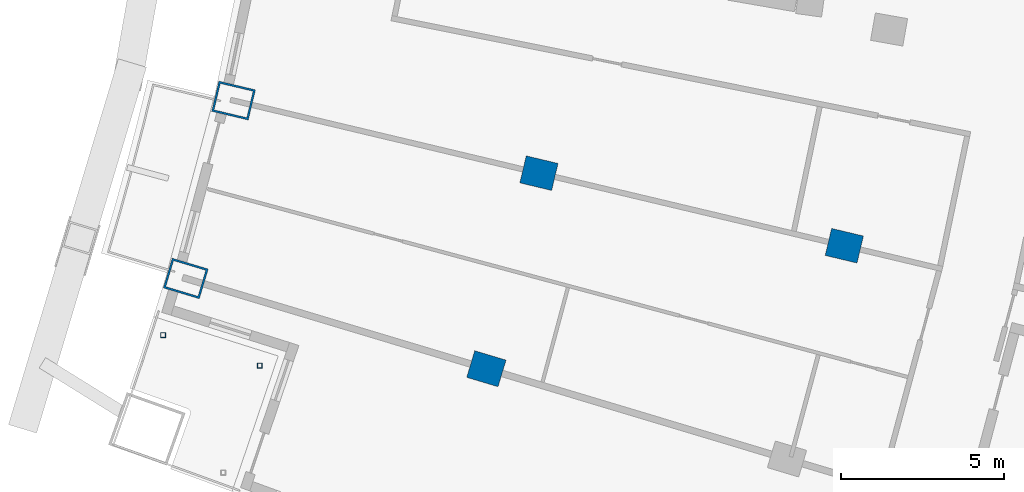
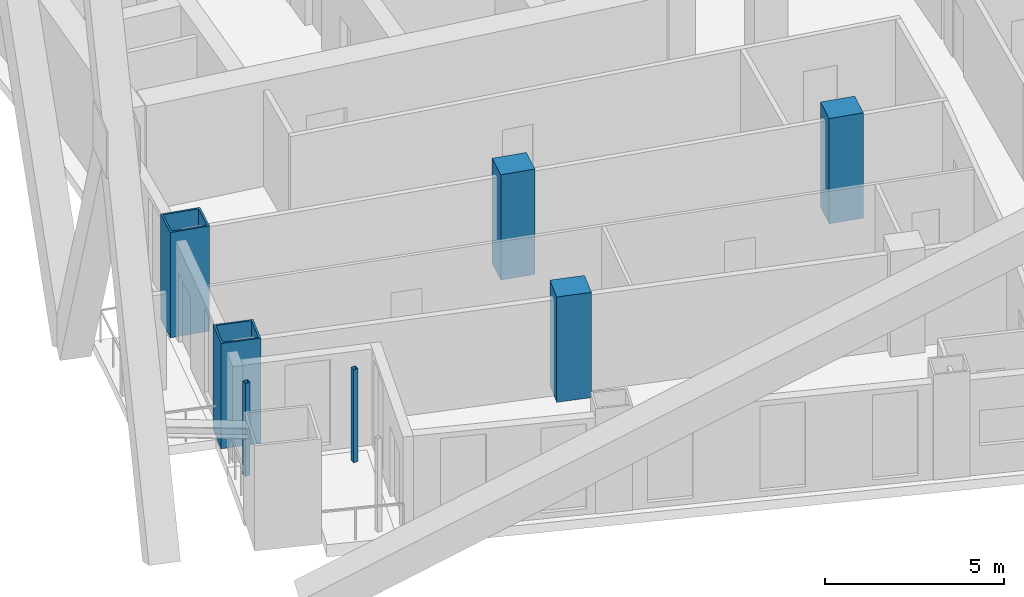
# One storey, part 3 of 26: 7 columns.
"""IFC4 building model written with IfcOpenShell, lengths in metres."""

import ifcopenshell
import ifcopenshell.guid

model = None  # the IFC model being written
_history = None  # IfcOwnerHistory: only IFC2X3 demands one
_inside = {}  # id of a spatial element -> (the spatial element, [elements in it])
_under = {}  # id of a project, library or spatial element -> (it, [spatial elements below it])
_declared = {}  # id of a project -> (the project, [libraries it declares])
_typed = {}  # id of a type object -> (the type object, [elements of that type])
_made_of = {}  # id of a material, layer set ... -> (it, [elements and type objects made of it])


def new_model(schema):
    """Start an empty IFC model of exactly this schema.

    Asked for "IFC4X3", IfcOpenShell would pick the latest addendum, in which some entities
    have other attributes; the version numbers below select the first issue.
    IFC2X3 requires an IfcOwnerHistory on every rooted entity: one is made here for all.
    """
    global model, _history
    if schema == "IFC4X3":
        model = ifcopenshell.file(schema_version=(4, 3, 0, 0))
    else:
        model = ifcopenshell.file(schema=schema)
    _inside.clear()
    _under.clear()
    _declared.clear()
    _typed.clear()
    _made_of.clear()
    _history = None
    if model.schema == "IFC2X3":
        org = make("IfcOrganization", Name="unknown")
        user = make(
            "IfcPersonAndOrganization",
            ThePerson=make("IfcPerson", FamilyName="unknown"),
            TheOrganization=org,
        )
        app = make(
            "IfcApplication",
            ApplicationDeveloper=org,
            Version="unknown",
            ApplicationFullName="unknown",
            ApplicationIdentifier="unknown",
        )
        _history = make(
            "IfcOwnerHistory",
            OwningUser=user,
            OwningApplication=app,
            ChangeAction="ADDED",
            CreationDate=0,
        )
    return model


def make(cls, **values):
    """One entity of the class cls with the attributes given. An attribute that is None is left unset."""
    return model.create_entity(
        cls, **{name: value for name, value in values.items() if value is not None}
    )


def rooted(cls, **values):
    """An entity with a GlobalId (a new one), such as an element, a storey or a relation."""
    return make(cls, GlobalId=ifcopenshell.guid.new(), OwnerHistory=_history, **values)


def si_unit(unit_type, name, prefix=None):
    """IfcSIUnit, for example si_unit("LENGTHUNIT", "METRE", prefix="MILLI")."""
    return make("IfcSIUnit", UnitType=unit_type, Prefix=prefix, Name=name)


def assignment(units):
    """IfcUnitAssignment: the units of a project."""
    return None if units is None else make("IfcUnitAssignment", Units=units)


def point(xyz):
    """IfcCartesianPoint."""
    return None if xyz is None else make("IfcCartesianPoint", Coordinates=xyz)


def direction(xyz):
    """IfcDirection."""
    return None if xyz is None else make("IfcDirection", DirectionRatios=xyz)


def frame(location, z_axis=None, x_axis=None):
    """IfcAxis2Placement3D, a coordinate frame: its origin and axes. An axis left out is left unset."""
    return make(
        "IfcAxis2Placement3D",
        Location=point(location),
        Axis=direction(z_axis),
        RefDirection=direction(x_axis),
    )


def frame_2d(location, x_axis=None):
    """IfcAxis2Placement2D, a coordinate frame in the plane: its origin and x axis."""
    return make(
        "IfcAxis2Placement2D", Location=point(location), RefDirection=direction(x_axis)
    )


def origin():
    """The frame at (0, 0, 0) with its axes left unset."""
    return frame((0.0, 0.0, 0.0))


def origin_2d():
    """The frame at (0, 0) in the plane with its x axis left unset."""
    return frame_2d((0.0, 0.0))


def place(relative_to, where):
    """IfcLocalPlacement: puts the frame where relative to a parent placement (None: the world)."""
    return make(
        "IfcLocalPlacement", PlacementRelTo=relative_to, RelativePlacement=where
    )


def context(
    kind, dimensions, precision=None, world=None, true_north=None, identifier=None
):
    """IfcGeometricRepresentationContext, for example the 3D "Model" context."""
    return make(
        "IfcGeometricRepresentationContext",
        ContextIdentifier=identifier,
        ContextType=kind,
        CoordinateSpaceDimension=dimensions,
        Precision=precision,
        WorldCoordinateSystem=world,
        TrueNorth=true_north,
    )


def subcontext(parent, identifier, kind, view, scale=None):
    """IfcGeometricRepresentationSubContext, for example "Body" below "Model"."""
    return make(
        "IfcGeometricRepresentationSubContext",
        ContextIdentifier=identifier,
        ContextType=kind,
        ParentContext=parent,
        TargetScale=scale,
        TargetView=view,
    )


def project(units=None, contexts=None):
    """IfcProject with its units and contexts."""
    return rooted(
        "IfcProject",
        Name="project",
        RepresentationContexts=contexts,
        UnitsInContext=assignment(units),
    )


def spatial(cls, under=None, at=None, **own):
    """A site, building, storey or space (cls), placed at a placement, below another one or the project."""
    s = rooted(cls, ObjectPlacement=at, **own)
    if under is not None:
        _under.setdefault(under.id(), (under, []))[1].append(s)
    return s


def profile(cls, at=None, kind="AREA", **sizes):
    """A parametric profile (cls). Its sizes go by their IFC names, for example OverallWidth=200.0."""
    return make(cls, ProfileType=kind, Position=at, **sizes)


def rectangle(**sizes):
    """IfcRectangleProfileDef."""
    return profile("IfcRectangleProfileDef", **sizes)


def hollow_rectangle(**sizes):
    """IfcRectangleHollowProfileDef."""
    return profile("IfcRectangleHollowProfileDef", **sizes)


def extrude(swept, where, along, depth):
    """IfcExtrudedAreaSolid: the profile swept, set in the frame where, extruded along a direction by depth."""
    return make(
        "IfcExtrudedAreaSolid",
        SweptArea=swept,
        Position=where,
        ExtrudedDirection=direction(along),
        Depth=depth,
    )


def shape(context_of_items, identifier, shape_type, items):
    """IfcShapeRepresentation: the items that make up one representation, for example the "Body"."""
    return make(
        "IfcShapeRepresentation",
        ContextOfItems=context_of_items,
        RepresentationIdentifier=identifier,
        RepresentationType=shape_type,
        Items=items,
    )


def material(Name=None, Category=None):
    """IfcMaterial."""
    return make("IfcMaterial", Name=Name, Category=Category)


def material_profile(
    of_material, cross_section, Name=None, Category=None, Priority=None
):
    """IfcMaterialProfile: a cross section and its material."""
    return make(
        "IfcMaterialProfile",
        Name=Name,
        Material=of_material,
        Profile=cross_section,
        Priority=Priority,
        Category=Category,
    )


def profile_set(profiles, Name=None, composite=None):
    """IfcMaterialProfileSet."""
    return make(
        "IfcMaterialProfileSet",
        Name=Name,
        MaterialProfiles=profiles,
        CompositeProfile=composite,
    )


def made_of(thing, what):
    """Note that an element or type object is made of a material, layer set ...; save() writes the relation."""
    if what is not None:
        _made_of.setdefault(what.id(), (what, []))[1].append(thing)
    return thing


def type_object(cls, material=None, **own):
    """A type object (cls), such as IfcWallType, which elements share."""
    return made_of(rooted(cls, **own), material)


def element(
    cls,
    number,
    at=None,
    inside=None,
    cuts=None,
    type_object=None,
    material=None,
    context=None,
    identifier="Body",
    shape_type=None,
    held_by="IfcProductDefinitionShape",
    body=None,
    shapes=None,
    **own,
):
    """One element of the class cls, such as IfcWall. Its Tag is "e" and its number.

    at: its placement. inside: the storey or other place that contains it. cuts: it is an
    opening in that element (IfcRelVoidsElement). A single representation is given by context,
    identifier, shape_type and body (its items); several are given by shapes. held_by: the class
    of the entity that holds the representations. save() writes the other relations.
    """
    e = rooted(cls, Tag="e%d" % number, ObjectPlacement=at, **own)
    if body is not None:
        shapes = [shape(context, identifier, shape_type, body)]
    if shapes is not None:
        e.Representation = make(held_by, Representations=shapes)
    if inside is not None:
        _inside.setdefault(inside.id(), (inside, []))[1].append(e)
    if cuts is not None:
        rooted(
            "IfcRelVoidsElement", RelatingBuildingElement=cuts, RelatedOpeningElement=e
        )
    if type_object is not None:
        _typed.setdefault(type_object.id(), (type_object, []))[1].append(e)
    return made_of(e, material)


def aggregate(whole, parts):
    """IfcRelAggregates: a whole, such as a stair, and the parts it consists of."""
    return rooted("IfcRelAggregates", RelatingObject=whole, RelatedObjects=parts)


def save(model, path):
    """Write the relations noted so far, then the file.

    IfcRelAggregates (storeys below a building ...), IfcRelContainedInSpatialStructure (elements
    in a storey), IfcRelDefinesByType, IfcRelAssociatesMaterial and IfcRelDeclares: one each for
    every whole, place, type object, material and project.
    """
    for whole, parts in _under.values():
        aggregate(whole, parts)
    for where, things in _inside.values():
        rooted(
            "IfcRelContainedInSpatialStructure",
            RelatedElements=things,
            RelatingStructure=where,
        )
    for kind, things in _typed.values():
        rooted("IfcRelDefinesByType", RelatedObjects=things, RelatingType=kind)
    for what, things in _made_of.values():
        rooted("IfcRelAssociatesMaterial", RelatedObjects=things, RelatingMaterial=what)
    for by, libraries in _declared.values():
        rooted("IfcRelDeclares", RelatingContext=by, RelatedDefinitions=libraries)
    model.write(path)


model = new_model("IFC4")

# Units and contexts
model_context = context("Model", 3, precision=1e-05, world=origin(), true_north=direction((0.0, 1.0)))
body_context = subcontext(model_context, "Body", "Model", "MODEL_VIEW")
ifc_project = project(units=[si_unit("LENGTHUNIT", "METRE"), si_unit("AREAUNIT", "SQUARE_METRE"), si_unit("VOLUMEUNIT", "CUBIC_METRE"), si_unit("PLANEANGLEUNIT", "RADIAN"), si_unit("MASSUNIT", "GRAM", prefix="KILO")], contexts=[model_context])

# Site, building, storey
site_placement = place(None, origin())
site = spatial("IfcSite", under=ifc_project, at=site_placement, CompositionType="ELEMENT")
building_placement = place(site_placement, origin())
building = spatial("IfcBuilding", under=site, at=building_placement, Name="Alderwake Tower", CompositionType="ELEMENT")
storey_placement = place(building_placement, frame((0.0, 0.0, 82.39990234375)))
storey = spatial("IfcBuildingStorey", under=building, at=storey_placement, Name="L19", CompositionType="ELEMENT", Elevation=82.39990234375)

# Columns
ifc_material_1 = material(Name="Concrete C70/85", Category="concrete")
ifc_material_profile_1 = material_profile(ifc_material_1, rectangle(XDim=0.85009765625, YDim=1.0, at=origin_2d()), Name="RC 1000X850")
ifc_profile_set_1 = profile_set([ifc_material_profile_1], Name="Concrete C70/85")
column_type_1 = type_object("IfcColumnType", Name="Interior column Z2", PredefinedType="COLUMN", material=ifc_profile_set_1)
for number, where, z_axis, x_axis, name in (
    (1, (21.714599609375, 30.46240234375, 0.0), (0.0, 0.0, 1.0), (0.287549418125, 0.957765802342, 0.0), "Column R02-C1"),
    (2, (23.322021484375, 36.444091796875, 0.0), (0.0, 0.0, 1.0), (0.231221547198, 0.972901123502, 0.0), "Column R03-C1"),
    (3, (32.661865234375, 34.224609375, 0.0), (0.0, 0.0, 1.0), (0.231221547198, 0.972901123502, 0.0), "Column R03-C2"),
):
    element("IfcColumn", number, at=place(storey_placement, frame(where, z_axis=z_axis, x_axis=x_axis)), inside=storey, type_object=column_type_1, Name=name, PredefinedType="COLUMN", context=body_context, shape_type="SweptSolid", body=[
        extrude(rectangle(XDim=0.85009765625, YDim=1.0, at=origin_2d()), origin(), (0.0, 0.0, 1.0), 3.60009765625),
    ])
ifc_material_2 = material(Name="Steel ASTM A500 Grade C", Category="steel")
ifc_material_profile_2 = material_profile(ifc_material_2, hollow_rectangle(XDim=0.15234375, YDim=0.15234375, WallThickness=0.0087890625, at=origin_2d()), Name="HSS6X6X3/8")
ifc_profile_set_2 = profile_set([ifc_material_profile_2], Name="Steel ASTM A500 Grade C")
column_type_2 = type_object("IfcColumnType", Name="Light post HSS6X6X3/8", PredefinedType="COLUMN", material=ifc_profile_set_2)
for number, where, z_axis, x_axis, name in (
    (4, (11.82568359375, 31.492919921875, 0.0), (0.0, 0.0, 1.0), (1.0, 0.0, 0.0), "Terrace post RS1"),
    (5, (14.781494140625, 30.558349609375, 0.0), (0.0, 0.0, 1.0), (1.0, 0.0, 0.0), "Terrace post RS3"),
):
    element("IfcColumn", number, at=place(storey_placement, frame(where, z_axis=z_axis, x_axis=x_axis)), inside=storey, type_object=column_type_2, Name=name, PredefinedType="COLUMN", context=body_context, shape_type="SweptSolid", body=[
        extrude(hollow_rectangle(XDim=0.15234375, YDim=0.15234375, WallThickness=0.0087890625, at=origin_2d()), origin(), (0.0, 0.0, 1.0), 3.18017578125),
    ])
ifc_material_3 = material(Name="Steel ASTM A572 Grade 50 concrete filled C70/85", Category="concrete")
ifc_material_profile_3 = material_profile(ifc_material_3, hollow_rectangle(XDim=0.949951171875, YDim=1.14990234375, WallThickness=0.06005859375, at=origin_2d()), Name="BOX 1150X950X60")
ifc_profile_set_3 = profile_set([ifc_material_profile_3], Name="Steel ASTM A572 Grade 50 concrete filled C70/85")
column_type_3 = type_object("IfcColumnType", Name="Perimeter column Z2", PredefinedType="COLUMN", material=ifc_profile_set_3)
for number, where, z_axis, x_axis, name in (
    (6, (12.520263671875, 33.222900390625, 0.0), (0.0, 0.0, 1.0), (0.287549418125, 0.957765802342, 0.0), "Column R02-C0"),
    (7, (13.982177734375, 38.6640625, 0.0), (0.0, 0.0, 1.0), (0.231221547198, 0.972901123502, 0.0), "Column R03-C0"),
):
    element("IfcColumn", number, at=place(storey_placement, frame(where, z_axis=z_axis, x_axis=x_axis)), inside=storey, type_object=column_type_3, Name=name, PredefinedType="COLUMN", context=body_context, shape_type="SweptSolid", body=[
        extrude(hollow_rectangle(XDim=0.949951171875, YDim=1.14990234375, WallThickness=0.06005859375, at=origin_2d()), origin(), (0.0, 0.0, 1.0), 3.60009765625),
    ])

save(model, "model.ifc")
